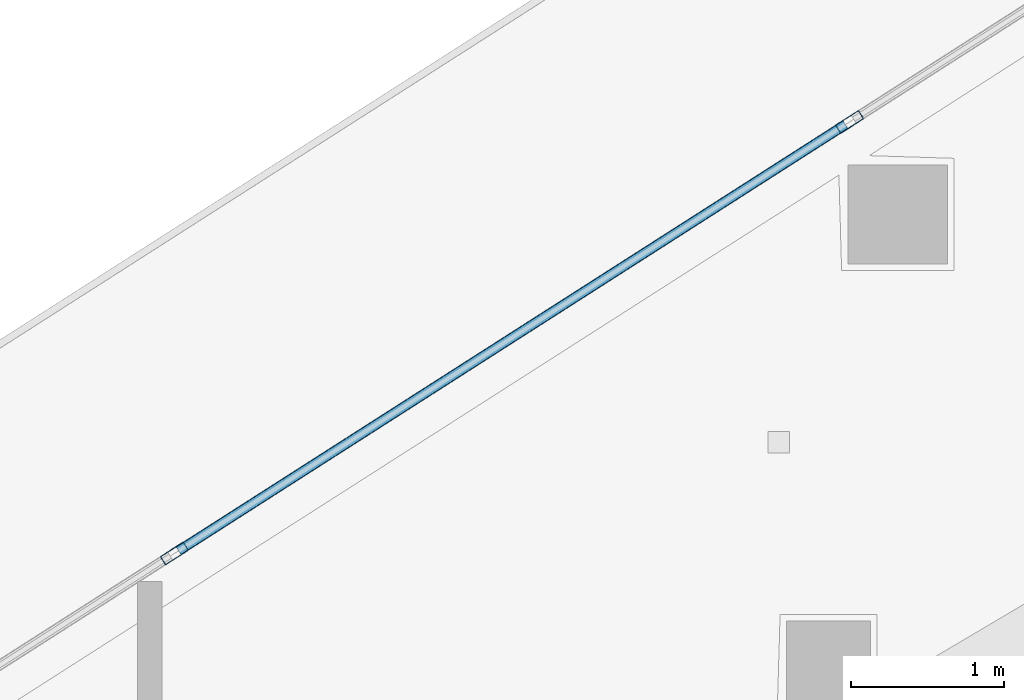
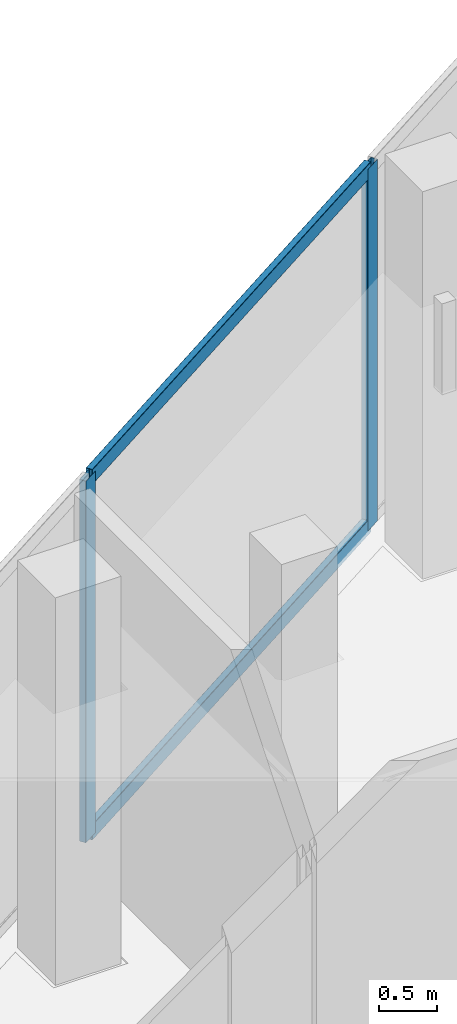
# One storey, part 17 of 33: 4 members, 1 element without a shape of its own.
"""IFC4 building model written with IfcOpenShell, lengths in metres."""

from ifc_helpers import new_model, si_unit, direction, frame, origin, origin_2d, place, context, subcontext, project, spatial, hollow_rectangle, extrude, material, layer, layer_set, material_profile, profile_set, type_object, element, aggregate, save


model = new_model("IFC4")

# Units and contexts
model_context = context("Model", 3, precision=1e-05, world=origin(), true_north=direction((0.0, 1.0)))
body_context = subcontext(model_context, "Body", "Model", "MODEL_VIEW")
ifc_project = project(units=[si_unit("LENGTHUNIT", "METRE"), si_unit("AREAUNIT", "SQUARE_METRE"), si_unit("VOLUMEUNIT", "CUBIC_METRE"), si_unit("PLANEANGLEUNIT", "RADIAN"), si_unit("MASSUNIT", "GRAM", prefix="KILO")], contexts=[model_context])

# Site, building, storey
site_placement = place(None, origin())
site = spatial("IfcSite", under=ifc_project, at=site_placement, CompositionType="ELEMENT")
building_placement = place(site_placement, origin())
building = spatial("IfcBuilding", under=site, at=building_placement, Name="Qorvath Tower", CompositionType="ELEMENT")
storey_placement = place(building_placement, frame((0.0, 0.0, 221.25)))
storey = spatial("IfcBuildingStorey", under=building, at=storey_placement, Name="L51", CompositionType="ELEMENT", Elevation=221.25)

# Curtain wall, members
ifc_material_1 = material(Name="Anodised aluminium and triple low-E glass", Category="aluminium")
ifc_layer = layer(ifc_material_1, 0.179931640625)
ifc_layer_set = layer_set([ifc_layer], Name="CW-SYS-3")
curtain_wall_type = type_object("IfcCurtainWallType", Name="CW-SYS-3", PredefinedType="NOTDEFINED", material=ifc_layer_set)
curtain_wall_placement = place(storey_placement, origin())
curtain_wall = element("IfcCurtainWall", 1, at=curtain_wall_placement, inside=storey, type_object=curtain_wall_type, Name="Curtain Wall CW-3 CW-T-L51-16.1", PredefinedType="NOTDEFINED")
ifc_material_2 = material(Name="Anodised aluminium 6063-T6", Category="aluminium")
ifc_material_profile_1 = material_profile(ifc_material_2, hollow_rectangle(XDim=0.06494140625, YDim=0.179931640625, WallThickness=0.00341796875, InnerFilletRadius=0.00341796875, OuterFilletRadius=0.007080078125, at=origin_2d()), Name="CWM 180x65")
ifc_profile_set_1 = profile_set([ifc_material_profile_1], Name="Anodised aluminium 6063-T6")
member_type_1 = type_object("IfcMemberType", Name="CWM-180", PredefinedType="MULLION", material=ifc_profile_set_1)
member_1_placement = place(storey_placement, frame((-30.5400390625, 17.6650390625, 0.0), z_axis=(0.0, 0.0, 1.0), x_axis=(0.538534785809, -0.842603278224, 0.0)))
member_1 = element("IfcMember", 2, at=member_1_placement, type_object=member_type_1, Name="CW-3 mullion 4", PredefinedType="MULLION", context=body_context, shape_type="SweptSolid", body=[
    extrude(hollow_rectangle(XDim=0.06494140625, YDim=0.179931640625, WallThickness=0.00341796875, InnerFilletRadius=0.00341796875, OuterFilletRadius=0.007080078125, at=origin_2d()), origin(), (0.0, 0.0, 1.0), 3.780029296875),
])
member_2_placement = place(storey_placement, frame((-34.95703125, 14.842041015625, 0.0), z_axis=(0.0, 0.0, 1.0), x_axis=(0.538534785809, -0.842603278224, 0.0)))
member_2 = element("IfcMember", 3, at=member_2_placement, type_object=member_type_1, Name="CW-3 mullion 5", PredefinedType="MULLION", context=body_context, shape_type="SweptSolid", body=[
    extrude(hollow_rectangle(XDim=0.06494140625, YDim=0.179931640625, WallThickness=0.00341796875, InnerFilletRadius=0.00341796875, OuterFilletRadius=0.007080078125, at=origin_2d()), origin(), (0.0, 0.0, 1.0), 3.780029296875),
])
ifc_material_3 = material(Name="Anodised aluminium 6063-T6", Category="aluminium")
ifc_material_profile_2 = material_profile(ifc_material_3, hollow_rectangle(XDim=0.06494140625, YDim=0.159912109375, WallThickness=0.00341796875, InnerFilletRadius=0.00341796875, OuterFilletRadius=0.007080078125, at=origin_2d()), Name="CWT 160x65")
ifc_profile_set_2 = profile_set([ifc_material_profile_2], Name="Anodised aluminium 6063-T6")
member_type_2 = type_object("IfcMemberType", Name="CWT-160", PredefinedType="USERDEFINED", material=ifc_profile_set_2)
member_3_placement = place(storey_placement, frame((-30.5673828125, 17.647705078125, 0.032470703125), z_axis=(-0.842582136458, -0.538567863246, 0.0), x_axis=(0.538567863246, -0.842582136458, 0.0)))
member_3 = element("IfcMember", 4, at=member_3_placement, type_object=member_type_2, Name="CW-3 transom 4.1", ObjectType="TRANSOM", PredefinedType="USERDEFINED", context=body_context, shape_type="SweptSolid", body=[
    extrude(hollow_rectangle(XDim=0.06494140625, YDim=0.159912109375, WallThickness=0.00341796875, InnerFilletRadius=0.00341796875, OuterFilletRadius=0.007080078125, at=origin_2d()), origin(), (0.0, 0.0, 1.0), 5.17724609375),
])
member_4_placement = place(storey_placement, frame((-30.5673828125, 17.647705078125, 3.74755859375), z_axis=(-0.842582136458, -0.538567863246, 0.0), x_axis=(0.538567863246, -0.842582136458, 0.0)))
member_4 = element("IfcMember", 5, at=member_4_placement, type_object=member_type_2, Name="CW-3 transom 4.2", ObjectType="TRANSOM", PredefinedType="USERDEFINED", context=body_context, shape_type="SweptSolid", body=[
    extrude(hollow_rectangle(XDim=0.06494140625, YDim=0.159912109375, WallThickness=0.00341796875, InnerFilletRadius=0.00341796875, OuterFilletRadius=0.007080078125, at=origin_2d()), origin(), (0.0, 0.0, 1.0), 5.17724609375),
])
aggregate(curtain_wall, [member_1, member_2, member_3, member_4])

save(model, "model.ifc")
